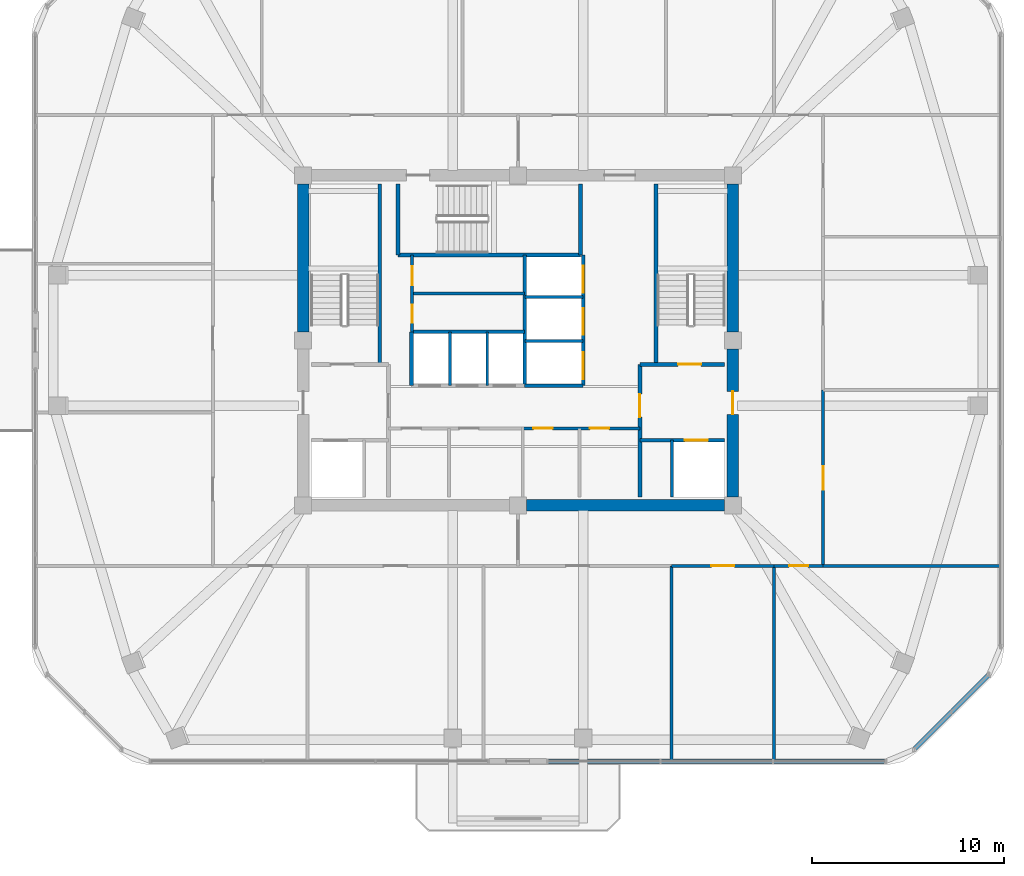
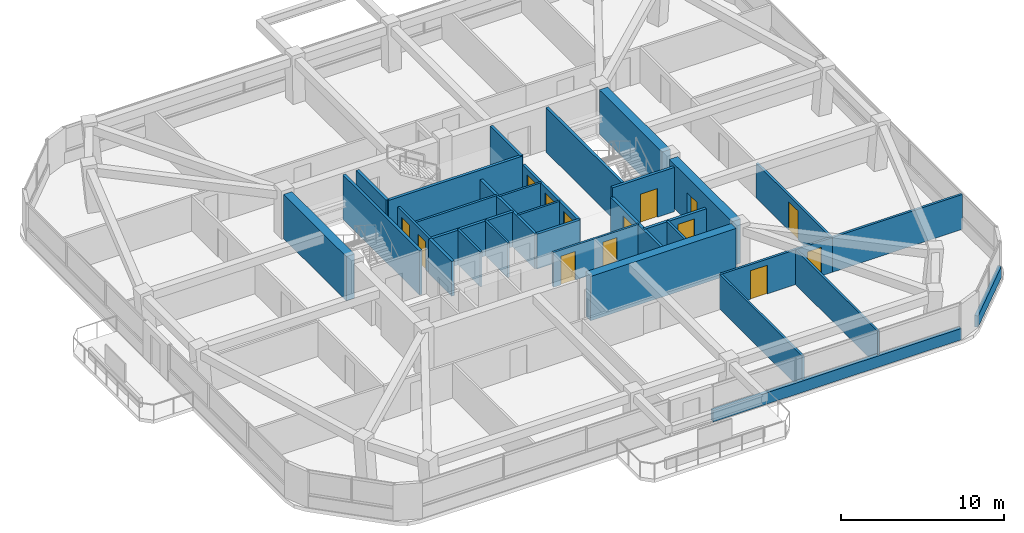
# One storey, part 9 of 13: 33 walls, 14 doors, 14 openings.
"""IFC4 building model written with IfcOpenShell, lengths in metres."""

from ifc_helpers import new_model, si_unit, derived_unit, direction, frame, frame_2d, origin, place, context, subcontext, project, spatial, rectangle, extrude, material, layer, layer_set, type_object, element, fill, save


model = new_model("IFC4")

# Units and contexts
model_context = context("Model", 3, precision=1e-05, world=origin(), true_north=direction((0.0, 1.0)))
body_context = subcontext(model_context, "Body", "Model", "MODEL_VIEW")
ifc_project = project(units=[si_unit("LENGTHUNIT", "METRE"), si_unit("AREAUNIT", "SQUARE_METRE"), si_unit("VOLUMEUNIT", "CUBIC_METRE"), si_unit("PLANEANGLEUNIT", "RADIAN"), si_unit("MASSUNIT", "GRAM", prefix="KILO"), derived_unit("THERMALTRANSMITTANCEUNIT", [(si_unit("POWERUNIT", "WATT"), 1), (si_unit("LENGTHUNIT", "METRE"), -2), (si_unit("THERMODYNAMICTEMPERATUREUNIT", "KELVIN"), -1)])], contexts=[model_context])

# Site, building, storey
site_placement = place(None, origin())
site = spatial("IfcSite", under=ifc_project, at=site_placement, CompositionType="ELEMENT")
building_placement = place(site_placement, origin())
building = spatial("IfcBuilding", under=site, at=building_placement, Name="Koralith Skygarden Medical Center", CompositionType="ELEMENT")
storey_placement = place(building_placement, frame((0.0, 0.0, 199.97998046875)))
storey = spatial("IfcBuildingStorey", under=building, at=storey_placement, Name="L51", CompositionType="ELEMENT", Elevation=199.97998046875)

# Wall, openings, doors
ifc_material_1 = material(Name="Gypsum Board Partition")
ifc_layer_1 = layer(ifc_material_1, 0.14990234375)
ifc_layer_set_1 = layer_set([ifc_layer_1], Name="Gypsum Board Partition")
wall_type_1 = type_object("IfcWallType", Name="Clinical Acoustic Partition 150", PredefinedType="PARTITIONING", material=ifc_layer_set_1)
wall_1_placement = place(storey_placement, frame((37.25, 21.320068359375, 0.0), z_axis=(0.0, 0.0, 1.0), x_axis=(1.0, 0.0, 0.0)))
wall_1 = element("IfcWall", 1, at=wall_1_placement, inside=storey, type_object=wall_type_1, Name="L51 Clinical Acoustic Partition 150 W-CORE-L51-FREED-MR-N", PredefinedType="PARTITIONING", context=body_context, shape_type="SweptSolid", body=[
    extrude(rectangle(XDim=6.10009765625, YDim=0.14990234375, at=frame_2d((3.050048828125, 0.0))), origin(), (0.0, 0.0, 1.0), 2.610107421875),
])
opening_1_placement = place(wall_1_placement, frame((0.550048828125, 0.0, 0.0)))
opening_1 = element("IfcOpeningElement", 2, at=opening_1_placement, cuts=wall_1, Name="Opening D-SUP", PredefinedType="OPENING", context=body_context, shape_type="SweptSolid", body=[
    extrude(rectangle(XDim=1.0, YDim=2.14990234375, at=frame_2d((0.5, 1.074951171875))), frame((0.0, 0.0849609375, 0.0), z_axis=(0.0, -1.0, 0.0), x_axis=(1.0, 0.0, 0.0)), (0.0, 0.0, 1.0), 0.169921875),
])
opening_2_placement = place(wall_1_placement, frame((3.5, 0.0, 0.0)))
opening_2 = element("IfcOpeningElement", 3, at=opening_2_placement, cuts=wall_1, Name="Opening D-SUP", PredefinedType="OPENING", context=body_context, shape_type="SweptSolid", body=[
    extrude(rectangle(XDim=1.0, YDim=2.14990234375, at=frame_2d((0.5, 1.074951171875))), frame((0.0, 0.0849609375, 0.0), z_axis=(0.0, -1.0, 0.0), x_axis=(1.0, 0.0, 0.0)), (0.0, 0.0, 1.0), 0.169921875),
])
ifc_material_2 = material(Name="Aluminium 6063-T6", Category="aluminium")
door_type_1 = type_object("IfcDoorType", Name="Clinical Support Door D-SUP 1000", OperationType="NOTDEFINED", PredefinedType="DOOR", material=ifc_material_2)
door_1_placement = place(opening_1_placement, frame((1.0, 0.0, 0.0), z_axis=(0.0, 0.0, 1.0), x_axis=(-1.0, 0.0, 0.0)))
door_1 = element("IfcDoor", 4, at=door_1_placement, inside=storey, type_object=door_type_1, Name="L51 Satellite Pharmacy Door", OperationType="SINGLE_SWING_LEFT", OverallHeight=2.14990234375, OverallWidth=1.0, PredefinedType="DOOR", context=body_context, shape_type="SweptSolid", body=[
    extrude(rectangle(XDim=1.0, YDim=2.14990234375, at=frame_2d((0.5, 1.074951171875))), frame((0.0, 0.02490234375, 0.0), z_axis=(0.0, -1.0, 0.0), x_axis=(1.0, 0.0, 0.0)), (0.0, 0.0, 1.0), 0.050048828125),
])
fill(opening_1, door_1)
door_2_placement = place(opening_2_placement, frame((1.0, 0.0, 0.0), z_axis=(0.0, 0.0, 1.0), x_axis=(-1.0, 0.0, 0.0)))
door_2 = element("IfcDoor", 5, at=door_2_placement, inside=storey, type_object=door_type_1, Name="L51 Biomedical Equipment Door", OperationType="SINGLE_SWING_RIGHT", OverallHeight=2.14990234375, OverallWidth=1.0, PredefinedType="DOOR", context=body_context, shape_type="SweptSolid", body=[
    extrude(rectangle(XDim=1.0, YDim=2.14990234375, at=frame_2d((0.5, 1.074951171875))), frame((0.0, 0.02490234375, 0.0), z_axis=(0.0, -1.0, 0.0), x_axis=(1.0, 0.0, 0.0)), (0.0, 0.0, 1.0), 0.050048828125),
])
fill(opening_2, door_2)

# Walls
for number, where, z_axis, x_axis, name in (
    (6, (45.009033203125, 14.14990234375, 0.0), (0.0, 0.0, 1.0), (0.0, -1.0, 0.0), "L51 Clinical Acoustic Partition 150 W-PART-L51-S-03"),
    (7, (50.35009765625, 14.14990234375, 0.0), (0.0, 0.0, 1.0), (0.0, -1.0, 0.0), "L51 Clinical Acoustic Partition 150 W-PART-L51-S-04"),
):
    element("IfcWall", number, at=place(storey_placement, frame(where, z_axis=z_axis, x_axis=x_axis)), inside=storey, type_object=wall_type_1, Name=name, PredefinedType="PARTITIONING", context=body_context, shape_type="SweptSolid", body=[
        extrude(rectangle(XDim=10.156005859375, YDim=0.14990234375, at=frame_2d((5.078125, 0.0))), origin(), (0.0, 0.0, 1.0), 2.610107421875),
    ])
ifc_layer_2 = layer(ifc_material_1, 0.1650390625)
ifc_layer_set_2 = layer_set([ifc_layer_2], Name="Gypsum Board Partition")
wall_type_2 = type_object("IfcWallType", Name="Clinical Corridor Partition 165", PredefinedType="PARTITIONING", material=ifc_layer_set_2)
wall_2_placement = place(storey_placement, frame((52.89990234375, 14.14990234375, 0.0), z_axis=(0.0, 0.0, 1.0), x_axis=(1.0, 0.0, 0.0)))
element("IfcWall", 8, at=wall_2_placement, inside=storey, type_object=wall_type_2, Name="L51 Clinical Corridor Partition 165 W-WB-L51-SE", PredefinedType="PARTITIONING", context=body_context, shape_type="SweptSolid", body=[
    extrude(rectangle(XDim=9.22802734375, YDim=0.1650390625, at=frame_2d((4.614013671875, 0.0))), origin(), (0.0, 0.0, 1.0), 2.610107421875),
])

# Wall, opening, door
wall_3_placement = place(storey_placement, frame((45.009033203125, 14.14990234375, 0.0), z_axis=(0.0, 0.0, 1.0), x_axis=(1.0, 0.0, 0.0)))
wall_3 = element("IfcWall", 9, at=wall_3_placement, inside=storey, type_object=wall_type_2, Name="L51 Clinical Corridor Partition 165 W-CORR-L51-S-04", PredefinedType="PARTITIONING", context=body_context, shape_type="SweptSolid", body=[
    extrude(rectangle(XDim=5.341064453125, YDim=0.1650390625, at=frame_2d((2.67041015625, 0.0))), origin(), (0.0, 0.0, 1.0), 2.610107421875),
])
opening_3_placement = place(wall_3_placement, frame((2.071044921875, 0.0, 0.0)))
opening_3 = element("IfcOpeningElement", 10, at=opening_3_placement, cuts=wall_3, Name="Opening D-CLN", PredefinedType="OPENING", context=body_context, shape_type="SweptSolid", body=[
    extrude(rectangle(XDim=1.199951171875, YDim=2.14990234375, at=frame_2d((0.60009765625, 1.074951171875))), frame((0.0, 0.092529296875, 0.0), z_axis=(0.0, -1.0, 0.0), x_axis=(1.0, 0.0, 0.0)), (0.0, 0.0, 1.0), 0.18505859375),
])
door_type_2 = type_object("IfcDoorType", Name="Clinical Corridor Door D-CLN 1200", OperationType="NOTDEFINED", PredefinedType="DOOR", material=ifc_material_2)
door_3_placement = place(opening_3_placement, frame((1.199951171875, 0.0, 0.0), z_axis=(0.0, 0.0, 1.0), x_axis=(-1.0, 0.0, 0.0)))
door_3 = element("IfcDoor", 11, at=door_3_placement, inside=storey, type_object=door_type_2, Name="L51 Telemetry Holter Store 09 Door", OperationType="SINGLE_SWING_RIGHT", OverallHeight=2.14990234375, OverallWidth=1.199951171875, PredefinedType="DOOR", context=body_context, shape_type="SweptSolid", body=[
    extrude(rectangle(XDim=1.199951171875, YDim=2.14990234375, at=frame_2d((0.60009765625, 1.074951171875))), frame((0.0, 0.02490234375, 0.0), z_axis=(0.0, -1.0, 0.0), x_axis=(1.0, 0.0, 0.0)), (0.0, 0.0, 1.0), 0.050048828125),
])
fill(opening_3, door_3)

wall_4_placement = place(storey_placement, frame((50.35009765625, 14.14990234375, 0.0), z_axis=(0.0, 0.0, 1.0), x_axis=(1.0, 0.0, 0.0)))
wall_4 = element("IfcWall", 12, at=wall_4_placement, inside=storey, type_object=wall_type_2, Name="L51 Clinical Corridor Partition 165 W-CORR-L51-S-05", PredefinedType="PARTITIONING", context=body_context, shape_type="SweptSolid", body=[
    extrude(rectangle(XDim=2.5498046875, YDim=0.1650390625, at=frame_2d((1.27490234375, 0.0))), origin(), (0.0, 0.0, 1.0), 2.610107421875),
])
opening_4_placement = place(wall_4_placement, frame((0.77490234375, 0.0, 0.0)))
opening_4 = element("IfcOpeningElement", 13, at=opening_4_placement, cuts=wall_4, Name="Opening D-SUP", PredefinedType="OPENING", context=body_context, shape_type="SweptSolid", body=[
    extrude(rectangle(XDim=1.0, YDim=2.14990234375, at=frame_2d((0.5, 1.074951171875))), frame((0.0, 0.092529296875, 0.0), z_axis=(0.0, -1.0, 0.0), x_axis=(1.0, 0.0, 0.0)), (0.0, 0.0, 1.0), 0.18505859375),
])
door_4_placement = place(opening_4_placement, frame((1.0, 0.0, 0.0), z_axis=(0.0, 0.0, 1.0), x_axis=(-1.0, 0.0, 0.0)))
door_4 = element("IfcDoor", 14, at=door_4_placement, inside=storey, type_object=door_type_1, Name="L51 Cardiology Fellows Office 10 Door", OperationType="SINGLE_SWING_LEFT", OverallHeight=2.14990234375, OverallWidth=1.0, PredefinedType="DOOR", context=body_context, shape_type="SweptSolid", body=[
    extrude(rectangle(XDim=1.0, YDim=2.14990234375, at=frame_2d((0.5, 1.074951171875))), frame((0.0, 0.02490234375, 0.0), z_axis=(0.0, -1.0, 0.0), x_axis=(1.0, 0.0, 0.0)), (0.0, 0.0, 1.0), 0.050048828125),
])
fill(opening_4, door_4)

wall_5_placement = place(storey_placement, frame((52.89990234375, 14.14990234375, 0.0), z_axis=(0.0, 0.0, 1.0), x_axis=(0.0, 1.0, 0.0)))
wall_5 = element("IfcWall", 15, at=wall_5_placement, inside=storey, type_object=wall_type_2, Name="L51 Clinical Corridor Partition 165 W-CORR-L51-E-01", PredefinedType="PARTITIONING", context=body_context, shape_type="SweptSolid", body=[
    extrude(rectangle(XDim=9.1650390625, YDim=0.1650390625, at=frame_2d((4.58251953125, 0.0))), origin(), (0.0, 0.0, 1.0), 2.610107421875),
])
opening_5_placement = place(wall_5_placement, frame((3.98291015625, 0.0, 0.0)))
opening_5 = element("IfcOpeningElement", 16, at=opening_5_placement, cuts=wall_5, Name="Opening D-CLN", PredefinedType="OPENING", context=body_context, shape_type="SweptSolid", body=[
    extrude(rectangle(XDim=1.199951171875, YDim=2.14990234375, at=frame_2d((0.60009765625, 1.074951171875))), frame((0.0, 0.092529296875, 0.0), z_axis=(0.0, -1.0, 0.0), x_axis=(1.0, 0.0, 0.0)), (0.0, 0.0, 1.0), 0.18505859375),
])
door_5_placement = place(opening_5_placement, origin())
door_5 = element("IfcDoor", 17, at=door_5_placement, inside=storey, type_object=door_type_2, Name="L51 Telemetry Holter Store 14 Door", OperationType="SINGLE_SWING_LEFT", OverallHeight=2.14990234375, OverallWidth=1.199951171875, PredefinedType="DOOR", context=body_context, shape_type="SweptSolid", body=[
    extrude(rectangle(XDim=1.199951171875, YDim=2.14990234375, at=frame_2d((0.60009765625, 1.074951171875))), frame((0.0, 0.02490234375, 0.0), z_axis=(0.0, -1.0, 0.0), x_axis=(1.0, 0.0, 0.0)), (0.0, 0.0, 1.0), 0.050048828125),
])
fill(opening_5, door_5)

ifc_layer_3 = layer(ifc_material_1, 0.199951171875)
ifc_layer_set_3 = layer_set([ifc_layer_3], Name="Gypsum Board Partition")
wall_type_3 = type_object("IfcWallType", Name="Fire Shaft Wall 200", PredefinedType="SOLIDWALL", material=ifc_layer_set_3)
wall_6_placement = place(storey_placement, frame((43.35009765625, 20.699951171875, 0.0), z_axis=(0.0, 0.0, 1.0), x_axis=(1.0, 0.0, 0.0)))
wall_6 = element("IfcWall", 18, at=wall_6_placement, inside=storey, type_object=wall_type_3, Name="L51 Fire Shaft Wall 200 W-CORE-L51-FF2-N", PredefinedType="SOLIDWALL", context=body_context, shape_type="SweptSolid", body=[
    extrude(rectangle(XDim=4.39990234375, YDim=0.199951171875, at=frame_2d((2.199951171875, 0.0))), origin(), (0.0, 0.0, 1.0), 2.610107421875),
])
opening_6_placement = place(wall_6_placement, frame((2.35009765625, 0.0, 0.0)))
opening_6 = element("IfcOpeningElement", 19, at=opening_6_placement, cuts=wall_6, Name="Opening LD-FF", PredefinedType="OPENING", context=body_context, shape_type="SweptSolid", body=[
    extrude(rectangle(XDim=1.199951171875, YDim=2.14990234375, at=frame_2d((0.60009765625, 1.074951171875))), frame((0.0, 0.10986328125, 0.0), z_axis=(0.0, -1.0, 0.0), x_axis=(1.0, 0.0, 0.0)), (0.0, 0.0, 1.0), 0.219970703125),
])
ifc_material_3 = material(Name="Steel ASTM A500 Grade C", Category="steel")
door_type_3 = type_object("IfcDoorType", Name="Fire Lift Sliding Landing Door LD-FF 1200", OperationType="NOTDEFINED", PredefinedType="DOOR", material=ifc_material_3)
door_6_placement = place(opening_6_placement, origin())
door_6 = element("IfcDoor", 20, at=door_6_placement, inside=storey, type_object=door_type_3, Name="L51 Fire Service Elevator FF2 Landing Door", OperationType="SLIDING_TO_RIGHT", OverallHeight=2.14990234375, OverallWidth=1.199951171875, PredefinedType="DOOR", context=body_context, shape_type="SweptSolid", body=[
    extrude(rectangle(XDim=1.199951171875, YDim=2.14990234375, at=frame_2d((0.60009765625, 1.074951171875))), frame((0.0, 0.02490234375, 0.0), z_axis=(0.0, -1.0, 0.0), x_axis=(1.0, 0.0, 0.0)), (0.0, 0.0, 1.0), 0.050048828125),
])
fill(opening_6, door_6)

wall_7_placement = place(storey_placement, frame((43.35009765625, 17.75, 0.0), z_axis=(0.0, 0.0, 1.0), x_axis=(0.0, 1.0, 0.0)))
wall_7 = element("IfcWall", 21, at=wall_7_placement, inside=storey, type_object=wall_type_3, Name="L51 Fire Shaft Wall 200 W-CORE-L51-FSAEE-W", PredefinedType="SOLIDWALL", context=body_context, shape_type="SweptSolid", body=[
    extrude(rectangle(XDim=6.89990234375, YDim=0.199951171875, at=frame_2d((3.449951171875, 0.0))), origin(), (0.0, 0.0, 1.0), 2.610107421875),
])
opening_7_placement = place(wall_7_placement, frame((4.14990234375, 0.0, 0.0)))
opening_7 = element("IfcOpeningElement", 22, at=opening_7_placement, cuts=wall_7, Name="Opening D-ST60", PredefinedType="OPENING", context=body_context, shape_type="SweptSolid", body=[
    extrude(rectangle(XDim=1.199951171875, YDim=2.14990234375, at=frame_2d((0.60009765625, 1.074951171875))), frame((0.0, 0.10986328125, 0.0), z_axis=(0.0, -1.0, 0.0), x_axis=(1.0, 0.0, 0.0)), (0.0, 0.0, 1.0), 0.219970703125),
])
door_type_4 = type_object("IfcDoorType", Name="Smokeproof Stair Fire Door FD60S 1200", OperationType="NOTDEFINED", PredefinedType="DOOR", material=ifc_material_3)
door_7_placement = place(opening_7_placement, frame((1.199951171875, 0.0, 0.0), z_axis=(0.0, 0.0, 1.0), x_axis=(-1.0, 0.0, 0.0)))
door_7 = element("IfcDoor", 23, at=door_7_placement, inside=storey, type_object=door_type_4, Name="L51 East Firefighting Lobby Inner Fire Door", OperationType="SINGLE_SWING_RIGHT", OverallHeight=2.14990234375, OverallWidth=1.199951171875, PredefinedType="DOOR", context=body_context, shape_type="SweptSolid", body=[
    extrude(rectangle(XDim=1.199951171875, YDim=2.14990234375, at=frame_2d((0.60009765625, 1.074951171875))), frame((0.0, 0.02490234375, 0.0), z_axis=(0.0, -1.0, 0.0), x_axis=(1.0, 0.0, 0.0)), (0.0, 0.0, 1.0), 0.050048828125),
])
fill(opening_7, door_7)

# Walls
wall_8_placement = place(storey_placement, frame((31.449951171875, 26.35009765625, 0.0), z_axis=(0.0, 0.0, 1.0), x_axis=(1.0, 0.0, 0.0)))
element("IfcWall", 24, at=wall_8_placement, inside=storey, type_object=wall_type_3, Name="L51 Fire Shaft Wall 200 W-CORE-L51-PH-N", PredefinedType="SOLIDWALL", context=body_context, shape_type="SweptSolid", body=[
    extrude(rectangle(XDim=5.900146484375, YDim=0.199951171875, at=frame_2d((2.9501953125, 0.0))), origin(), (0.0, 0.0, 1.0), 2.610107421875),
])
wall_9_placement = place(storey_placement, frame((31.449951171875, 23.5400390625, 0.0), z_axis=(0.0, 0.0, 1.0), x_axis=(0.0, 1.0, 0.0)))
element("IfcWall", 25, at=wall_9_placement, inside=storey, type_object=wall_type_3, Name="L51 Fire Shaft Wall 200 W-CORE-L51-PH-W", PredefinedType="SOLIDWALL", context=body_context, shape_type="SweptSolid", body=[
    extrude(rectangle(XDim=2.81005859375, YDim=0.199951171875, at=frame_2d((1.405029296875, 0.0))), origin(), (0.0, 0.0, 1.0), 2.610107421875),
])
wall_10_placement = place(storey_placement, frame((37.35009765625, 23.5400390625, 0.0), z_axis=(0.0, 0.0, 1.0), x_axis=(0.0, 1.0, 0.0)))
element("IfcWall", 26, at=wall_10_placement, inside=storey, type_object=wall_type_3, Name="L51 Fire Shaft Wall 200 W-CORE-L51-SV-W", PredefinedType="SOLIDWALL", context=body_context, shape_type="SweptSolid", body=[
    extrude(rectangle(XDim=6.820068359375, YDim=0.199951171875, at=frame_2d((3.41015625, 0.0))), origin(), (0.0, 0.0, 1.0), 2.610107421875),
])
wall_11_placement = place(storey_placement, frame((37.35009765625, 23.5400390625, 0.0), z_axis=(0.0, 0.0, 1.0), x_axis=(1.0, 0.0, 0.0)))
element("IfcWall", 27, at=wall_11_placement, inside=storey, type_object=wall_type_3, Name="L51 Fire Shaft Wall 200 W-CORE-L51-SV-S", PredefinedType="SOLIDWALL", context=body_context, shape_type="SweptSolid", body=[
    extrude(rectangle(XDim=3.0498046875, YDim=0.199951171875, at=frame_2d((1.52490234375, 0.0))), origin(), (0.0, 0.0, 1.0), 2.610107421875),
])

# Wall, openings, doors
wall_12_placement = place(storey_placement, frame((40.39990234375, 23.5400390625, 0.0), z_axis=(0.0, 0.0, 1.0), x_axis=(0.0, 1.0, 0.0)))
wall_12 = element("IfcWall", 28, at=wall_12_placement, inside=storey, type_object=wall_type_3, Name="L51 Fire Shaft Wall 200 W-CORE-L51-SV-E", PredefinedType="SOLIDWALL", context=body_context, shape_type="SweptSolid", body=[
    extrude(rectangle(XDim=6.820068359375, YDim=0.199951171875, at=frame_2d((3.41015625, 0.0))), origin(), (0.0, 0.0, 1.0), 2.610107421875),
])
opening_8_placement = place(wall_12_placement, frame((0.35009765625, 0.0, 0.0)))
opening_8 = element("IfcOpeningElement", 29, at=opening_8_placement, cuts=wall_12, Name="Opening LD-SV", PredefinedType="OPENING", context=body_context, shape_type="SweptSolid", body=[
    extrude(rectangle(XDim=1.39990234375, YDim=2.199951171875, at=frame_2d((0.699951171875, 1.10009765625))), frame((0.0, 0.10986328125, 0.0), z_axis=(0.0, -1.0, 0.0), x_axis=(1.0, 0.0, 0.0)), (0.0, 0.0, 1.0), 0.219970703125),
])
opening_9_placement = place(wall_12_placement, frame((2.64990234375, 0.0, 0.0)))
opening_9 = element("IfcOpeningElement", 30, at=opening_9_placement, cuts=wall_12, Name="Opening LD-SV", PredefinedType="OPENING", context=body_context, shape_type="SweptSolid", body=[
    extrude(rectangle(XDim=1.39990234375, YDim=2.199951171875, at=frame_2d((0.699951171875, 1.10009765625))), frame((0.0, 0.10986328125, 0.0), z_axis=(0.0, -1.0, 0.0), x_axis=(1.0, 0.0, 0.0)), (0.0, 0.0, 1.0), 0.219970703125),
])
opening_10_placement = place(wall_12_placement, frame((4.85009765625, 0.0, 0.0)))
opening_10 = element("IfcOpeningElement", 31, at=opening_10_placement, cuts=wall_12, Name="Opening LD-SV", PredefinedType="OPENING", context=body_context, shape_type="SweptSolid", body=[
    extrude(rectangle(XDim=1.39990234375, YDim=2.199951171875, at=frame_2d((0.699951171875, 1.10009765625))), frame((0.0, 0.10986328125, 0.0), z_axis=(0.0, -1.0, 0.0), x_axis=(1.0, 0.0, 0.0)), (0.0, 0.0, 1.0), 0.219970703125),
])
door_type_5 = type_object("IfcDoorType", Name="Bed Lift Sliding Landing Door LD-SV 1400", OperationType="NOTDEFINED", PredefinedType="DOOR", material=ifc_material_3)
door_8_placement = place(opening_8_placement, origin())
door_8 = element("IfcDoor", 32, at=door_8_placement, inside=storey, type_object=door_type_5, Name="L51 Bed Elevator BD1 Landing Door", OperationType="SLIDING_TO_LEFT", OverallHeight=2.199951171875, OverallWidth=1.39990234375, PredefinedType="DOOR", context=body_context, shape_type="SweptSolid", body=[
    extrude(rectangle(XDim=1.39990234375, YDim=2.199951171875, at=frame_2d((0.699951171875, 1.10009765625))), frame((0.0, 0.02490234375, 0.0), z_axis=(0.0, -1.0, 0.0), x_axis=(1.0, 0.0, 0.0)), (0.0, 0.0, 1.0), 0.050048828125),
])
fill(opening_8, door_8)
door_9_placement = place(opening_9_placement, origin())
door_9 = element("IfcDoor", 33, at=door_9_placement, inside=storey, type_object=door_type_5, Name="L51 Service Elevator BD2 Landing Door", OperationType="SLIDING_TO_LEFT", OverallHeight=2.199951171875, OverallWidth=1.39990234375, PredefinedType="DOOR", context=body_context, shape_type="SweptSolid", body=[
    extrude(rectangle(XDim=1.39990234375, YDim=2.199951171875, at=frame_2d((0.699951171875, 1.10009765625))), frame((0.0, 0.02490234375, 0.0), z_axis=(0.0, -1.0, 0.0), x_axis=(1.0, 0.0, 0.0)), (0.0, 0.0, 1.0), 0.050048828125),
])
fill(opening_9, door_9)
door_10_placement = place(opening_10_placement, origin())
door_10 = element("IfcDoor", 34, at=door_10_placement, inside=storey, type_object=door_type_5, Name="L51 Trauma Elevator TR1 Landing Door", OperationType="SLIDING_TO_RIGHT", OverallHeight=2.199951171875, OverallWidth=1.39990234375, PredefinedType="DOOR", context=body_context, shape_type="SweptSolid", body=[
    extrude(rectangle(XDim=1.39990234375, YDim=2.199951171875, at=frame_2d((0.699951171875, 1.10009765625))), frame((0.0, 0.02490234375, 0.0), z_axis=(0.0, -1.0, 0.0), x_axis=(1.0, 0.0, 0.0)), (0.0, 0.0, 1.0), 0.050048828125),
])
fill(opening_10, door_10)

# Walls
ifc_material_4 = material(Name="Warm Oolitic Limestone Cladding", Category="masonry")
ifc_layer_4 = layer(ifc_material_4, 0.239990234375)
ifc_layer_set_4 = layer_set([ifc_layer_4], Name="Warm Oolitic Limestone Cladding")
wall_type_4 = type_object("IfcWallType", Name="Limestone Spandrel Sill Backup Wall 240", PredefinedType="SOLIDWALL", material=ifc_layer_set_4)
wall_13_placement = place(storey_placement, frame((38.5390625, 3.97412109375, 0.0), z_axis=(0.0, 0.0, 1.0), x_axis=(1.0, 0.0, 0.0)))
element("IfcWall", 35, at=wall_13_placement, inside=storey, type_object=wall_type_4, Name="L51 Sill Spandrel S-R", PredefinedType="SOLIDWALL", context=body_context, shape_type="SweptSolid", body=[
    extrude(rectangle(XDim=17.634033203125, YDim=0.239990234375, at=frame_2d((8.81689453125, 0.0))), origin(), (0.0, 0.0, 1.0), 0.85009765625),
])
wall_14_placement = place(storey_placement, frame((57.6240234375, 4.574951171875, 0.0), z_axis=(0.0, 0.0, 1.0), x_axis=(0.707106781187, 0.707106781187, 0.0)))
element("IfcWall", 36, at=wall_14_placement, inside=storey, type_object=wall_type_4, Name="L51 Sill Spandrel SE", PredefinedType="SOLIDWALL", context=body_context, shape_type="SweptSolid", body=[
    extrude(rectangle(XDim=5.548095703125, YDim=0.239990234375, at=frame_2d((2.77392578125, 0.0))), origin(), (0.0, 0.0, 1.0), 0.85009765625),
])

# Wall, openings, doors
ifc_layer_5 = layer(ifc_material_1, 0.1650390625)
ifc_layer_set_5 = layer_set([ifc_layer_5], Name="Gypsum Board Partition")
wall_type_5 = type_object("IfcWallType", Name="Plumbing Wet Wall 165", PredefinedType="PLUMBINGWALL", material=ifc_layer_set_5)
wall_15_placement = place(storey_placement, frame((31.47998046875, 26.320068359375, 0.0), z_axis=(0.0, 0.0, 1.0), x_axis=(0.0, 1.0, 0.0)))
wall_15 = element("IfcWall", 37, at=wall_15_placement, inside=storey, type_object=wall_type_5, Name="L51 Plumbing Wet Wall 165 W-CORE-L51-FLEX-W", PredefinedType="PLUMBINGWALL", context=body_context, shape_type="SweptSolid", body=[
    extrude(rectangle(XDim=4.0400390625, YDim=0.1650390625, at=frame_2d((2.02001953125, 0.0))), origin(), (0.0, 0.0, 1.0), 2.610107421875),
])
opening_11_placement = place(wall_15_placement, frame((0.5, 0.0, 0.0)))
opening_11 = element("IfcOpeningElement", 38, at=opening_11_placement, cuts=wall_15, Name="Opening D-WC", PredefinedType="OPENING", context=body_context, shape_type="SweptSolid", body=[
    extrude(rectangle(XDim=0.949951171875, YDim=2.10009765625, at=frame_2d((0.47509765625, 1.050048828125))), frame((0.0, 0.092529296875, 0.0), z_axis=(0.0, -1.0, 0.0), x_axis=(1.0, 0.0, 0.0)), (0.0, 0.0, 1.0), 0.18505859375),
])
opening_12_placement = place(wall_15_placement, frame((2.449951171875, 0.0, 0.0)))
opening_12 = element("IfcOpeningElement", 39, at=opening_12_placement, cuts=wall_15, Name="Opening D-SUP", PredefinedType="OPENING", context=body_context, shape_type="SweptSolid", body=[
    extrude(rectangle(XDim=1.0, YDim=2.14990234375, at=frame_2d((0.5, 1.074951171875))), frame((0.0, 0.092529296875, 0.0), z_axis=(0.0, -1.0, 0.0), x_axis=(1.0, 0.0, 0.0)), (0.0, 0.0, 1.0), 0.18505859375),
])
door_type_6 = type_object("IfcDoorType", Name="Accessible Toilet Door D-WC 950", OperationType="NOTDEFINED", PredefinedType="DOOR", material=ifc_material_2)
door_11_placement = place(opening_11_placement, frame((0.949951171875, 0.0, 0.0), z_axis=(0.0, 0.0, 1.0), x_axis=(-1.0, 0.0, 0.0)))
door_11 = element("IfcDoor", 40, at=door_11_placement, inside=storey, type_object=door_type_6, Name="L51 Core Accessible WC Door", OperationType="SINGLE_SWING_LEFT", OverallHeight=2.10009765625, OverallWidth=0.949951171875, PredefinedType="DOOR", context=body_context, shape_type="SweptSolid", body=[
    extrude(rectangle(XDim=0.949951171875, YDim=2.10009765625, at=frame_2d((0.47509765625, 1.050048828125))), frame((0.0, 0.02490234375, 0.0), z_axis=(0.0, -1.0, 0.0), x_axis=(1.0, 0.0, 0.0)), (0.0, 0.0, 1.0), 0.050048828125),
])
fill(opening_11, door_11)
door_12_placement = place(opening_12_placement, frame((1.0, 0.0, 0.0), z_axis=(0.0, 0.0, 1.0), x_axis=(-1.0, 0.0, 0.0)))
door_12 = element("IfcDoor", 41, at=door_12_placement, inside=storey, type_object=door_type_1, Name="L51 Core Clean Utility Door", OperationType="SINGLE_SWING_RIGHT", OverallHeight=2.14990234375, OverallWidth=1.0, PredefinedType="DOOR", context=body_context, shape_type="SweptSolid", body=[
    extrude(rectangle(XDim=1.0, YDim=2.14990234375, at=frame_2d((0.5, 1.074951171875))), frame((0.0, 0.02490234375, 0.0), z_axis=(0.0, -1.0, 0.0), x_axis=(1.0, 0.0, 0.0)), (0.0, 0.0, 1.0), 0.050048828125),
])
fill(opening_12, door_12)

# Walls
wall_16_placement = place(storey_placement, frame((31.47998046875, 28.340087890625, 0.0), z_axis=(0.0, 0.0, 1.0), x_axis=(1.0, 0.0, 0.0)))
element("IfcWall", 42, at=wall_16_placement, inside=storey, type_object=wall_type_5, Name="L51 Plumbing Wet Wall 165 W-CORE-L51-FLEX-H0", PredefinedType="PLUMBINGWALL", context=body_context, shape_type="SweptSolid", body=[
    extrude(rectangle(XDim=5.8701171875, YDim=0.1650390625, at=frame_2d((2.93505859375, 0.0))), origin(), (0.0, 0.0, 1.0), 2.610107421875),
])
ifc_layer_6 = layer(ifc_material_1, 0.14990234375)
ifc_layer_set_6 = layer_set([ifc_layer_6], Name="Gypsum Board Partition")
wall_type_6 = type_object("IfcWallType", Name="Shaft Partition Wall 150", PredefinedType="PARTITIONING", material=ifc_layer_set_6)
wall_17_placement = place(storey_placement, frame((45.02001953125, 17.75, 0.0), z_axis=(0.0, 0.0, 1.0), x_axis=(0.0, 1.0, 0.0)))
element("IfcWall", 43, at=wall_17_placement, inside=storey, type_object=wall_type_6, Name="L51 Shaft Partition Wall 150 W-CORE-L51-RSRE-DIV", PredefinedType="PARTITIONING", context=body_context, shape_type="SweptSolid", body=[
    extrude(rectangle(XDim=2.949951171875, YDim=0.14990234375, at=frame_2d((1.47509765625, 0.0))), origin(), (0.0, 0.0, 1.0), 2.610107421875),
])
for number, where, z_axis, x_axis, name in (
    (44, (33.449951171875, 23.5400390625, 0.0), (0.0, 0.0, 1.0), (0.0, 1.0, 0.0), "L51 Shaft Partition Wall 150 W-CORE-L51-PH-D1"),
    (45, (35.39990234375, 23.5400390625, 0.0), (0.0, 0.0, 1.0), (0.0, 1.0, 0.0), "L51 Shaft Partition Wall 150 W-CORE-L51-PH-D2"),
):
    element("IfcWall", number, at=place(storey_placement, frame(where, z_axis=z_axis, x_axis=x_axis)), inside=storey, type_object=wall_type_6, Name=name, PredefinedType="PARTITIONING", context=body_context, shape_type="SweptSolid", body=[
        extrude(rectangle(XDim=2.81005859375, YDim=0.14990234375, at=frame_2d((1.405029296875, 0.0))), origin(), (0.0, 0.0, 1.0), 2.610107421875),
    ])
for number, where, z_axis, x_axis, name in (
    (46, (37.3701171875, 25.8701171875, 0.0), (0.0, 0.0, 1.0), (1.0, 0.0, 0.0), "L51 Shaft Partition Wall 150 W-CORE-L51-SV-D1"),
    (47, (37.3701171875, 28.169921875, 0.0), (0.0, 0.0, 1.0), (1.0, 0.0, 0.0), "L51 Shaft Partition Wall 150 W-CORE-L51-SV-D2"),
):
    element("IfcWall", number, at=place(storey_placement, frame(where, z_axis=z_axis, x_axis=x_axis)), inside=storey, type_object=wall_type_6, Name=name, PredefinedType="PARTITIONING", context=body_context, shape_type="SweptSolid", body=[
        extrude(rectangle(XDim=3.009765625, YDim=0.14990234375, at=frame_2d((1.5048828125, 0.0))), origin(), (0.0, 0.0, 1.0), 2.610107421875),
    ])
ifc_material_5 = material(Name="Concrete C45/55", Category="concrete")
ifc_layer_7 = layer(ifc_material_5, 0.199951171875)
ifc_layer_set_7 = layer_set([ifc_layer_7], Name="Concrete C45/55")
wall_type_7 = type_object("IfcWallType", Name="Structural Stair Shaft Wall 200", PredefinedType="SHEAR", material=ifc_layer_set_7)
for number, where, z_axis, x_axis, name in (
    (48, (29.800048828125, 24.64990234375, 0.0), (0.0, 0.0, 1.0), (0.0, 1.0, 0.0), "L51 Structural Stair Shaft Wall 200 W-CORE-L51-ST1-E"),
    (49, (44.199951171875, 24.64990234375, 0.0), (0.0, 0.0, 1.0), (0.0, 1.0, 0.0), "L51 Structural Stair Shaft Wall 200 W-CORE-L51-ST2-W"),
):
    element("IfcWall", number, at=place(storey_placement, frame(where, z_axis=z_axis, x_axis=x_axis)), inside=storey, type_object=wall_type_7, Name=name, PredefinedType="SHEAR", context=body_context, shape_type="SweptSolid", body=[
        extrude(rectangle(XDim=9.400146484375, YDim=0.199951171875, at=frame_2d((4.7001953125, 0.0))), origin(), (0.0, 0.0, 1.0), 3.320068359375),
    ])

# Wall, opening, door
wall_18_placement = place(storey_placement, frame((43.35009765625, 24.64990234375, 0.0), z_axis=(0.0, 0.0, 1.0), x_axis=(1.0, 0.0, 0.0)))
wall_18 = element("IfcWall", 50, at=wall_18_placement, inside=storey, type_object=wall_type_7, Name="L51 Structural Stair Shaft Wall 200 W-CORE-L51-ST2-S", PredefinedType="SHEAR", context=body_context, shape_type="SweptSolid", body=[
    extrude(rectangle(XDim=4.39990234375, YDim=0.199951171875, at=frame_2d((2.199951171875, 0.0))), origin(), (0.0, 0.0, 1.0), 3.320068359375),
])
opening_13_placement = place(wall_18_placement, frame((2.0, 0.0, 0.0)))
opening_13 = element("IfcOpeningElement", 51, at=opening_13_placement, cuts=wall_18, Name="Opening D-ST60", PredefinedType="OPENING", context=body_context, shape_type="SweptSolid", body=[
    extrude(rectangle(XDim=1.199951171875, YDim=2.14990234375, at=frame_2d((0.60009765625, 1.074951171875))), frame((0.0, 0.10986328125, 0.0), z_axis=(0.0, -1.0, 0.0), x_axis=(1.0, 0.0, 0.0)), (0.0, 0.0, 1.0), 0.219970703125),
])
door_13_placement = place(opening_13_placement, origin())
door_13 = element("IfcDoor", 52, at=door_13_placement, inside=storey, type_object=door_type_4, Name="L51 Exit Stair ST2 Fire Door", OperationType="SINGLE_SWING_RIGHT", OverallHeight=2.14990234375, OverallWidth=1.199951171875, PredefinedType="DOOR", context=body_context, shape_type="SweptSolid", body=[
    extrude(rectangle(XDim=1.199951171875, YDim=2.14990234375, at=frame_2d((0.60009765625, 1.074951171875))), frame((0.0, 0.02490234375, 0.0), z_axis=(0.0, -1.0, 0.0), x_axis=(1.0, 0.0, 0.0)), (0.0, 0.0, 1.0), 0.050048828125),
])
fill(opening_13, door_13)

# Walls
wall_19_placement = place(storey_placement, frame((30.75, 30.360107421875, 0.0), z_axis=(0.0, 0.0, 1.0), x_axis=(1.0, 0.0, 0.0)))
element("IfcWall", 53, at=wall_19_placement, inside=storey, type_object=wall_type_7, Name="L51 Structural Stair Shaft Wall 200 W-CORE-L51-ST3-S", PredefinedType="SHEAR", context=body_context, shape_type="SweptSolid", body=[
    extrude(rectangle(XDim=9.5, YDim=0.199951171875, at=frame_2d((4.75, 0.0))), origin(), (0.0, 0.0, 1.0), 3.320068359375),
])
for number, where, z_axis, x_axis, name in (
    (54, (30.75, 30.360107421875, 0.0), (0.0, 0.0, 1.0), (0.0, 1.0, 0.0), "L51 Structural Stair Shaft Wall 200 W-CORE-L51-ST3-W"),
    (55, (40.25, 30.360107421875, 0.0), (0.0, 0.0, 1.0), (0.0, 1.0, 0.0), "L51 Structural Stair Shaft Wall 200 W-CORE-L51-ST3-E"),
):
    element("IfcWall", number, at=place(storey_placement, frame(where, z_axis=z_axis, x_axis=x_axis)), inside=storey, type_object=wall_type_7, Name=name, PredefinedType="SHEAR", context=body_context, shape_type="SweptSolid", body=[
        extrude(rectangle(XDim=3.68994140625, YDim=0.199951171875, at=frame_2d((1.844970703125, 0.0))), origin(), (0.0, 0.0, 1.0), 3.320068359375),
    ])
ifc_material_6 = material(Name="Concrete C55/67", Category="concrete")
ifc_layer_8 = layer(ifc_material_6, 0.60009765625)
ifc_layer_set_8 = layer_set([ifc_layer_8], Name="Concrete C55/67")
wall_type_8 = type_object("IfcWallType", Name="Upper Core Shear Wall 600", PredefinedType="SHEAR", material=ifc_layer_set_8)
wall_20_placement = place(storey_placement, frame((37.445068359375, 17.300048828125, 0.0), z_axis=(0.0, 0.0, 1.0), x_axis=(1.0, 0.0, 0.0)))
element("IfcWall", 56, at=wall_20_placement, inside=storey, type_object=wall_type_8, Name="L51 Core Shear Wall Segment 2", PredefinedType="SHEAR", context=body_context, shape_type="SweptSolid", body=[
    extrude(rectangle(XDim=10.309814453125, YDim=0.60009765625, at=frame_2d((5.15478515625, 0.0))), origin(), (0.0, 0.0, 1.0), 3.320068359375),
])

# Wall, opening, door
wall_21_placement = place(storey_placement, frame((48.199951171875, 17.7451171875, 0.0), z_axis=(0.0, 0.0, 1.0), x_axis=(0.0, 1.0, 0.0)))
wall_21 = element("IfcWall", 57, at=wall_21_placement, inside=storey, type_object=wall_type_8, Name="L51 Core Shear Wall Segment 3", PredefinedType="SHEAR", context=body_context, shape_type="SweptSolid", body=[
    extrude(rectangle(XDim=7.7099609375, YDim=0.60009765625, at=frame_2d((3.85498046875, 0.0))), origin(), (0.0, 0.0, 1.0), 3.320068359375),
])
opening_14_placement = place(wall_21_placement, frame((4.304931640625, 0.0, 0.0)))
opening_14 = element("IfcOpeningElement", 58, at=opening_14_placement, cuts=wall_21, Name="Opening D-ST60", PredefinedType="OPENING", context=body_context, shape_type="SweptSolid", body=[
    extrude(rectangle(XDim=1.199951171875, YDim=2.14990234375, at=frame_2d((0.60009765625, 1.074951171875))), frame((0.0, 0.31005859375, 0.0), z_axis=(0.0, -1.0, 0.0), x_axis=(1.0, 0.0, 0.0)), (0.0, 0.0, 1.0), 0.6201171875),
])
door_14_placement = place(opening_14_placement, frame((1.199951171875, 0.0, 0.0), z_axis=(0.0, 0.0, 1.0), x_axis=(-1.0, 0.0, 0.0)))
door_14 = element("IfcDoor", 59, at=door_14_placement, inside=storey, type_object=door_type_4, Name="L51 East Corridor to Firefighting Lobby Door", OperationType="SINGLE_SWING_RIGHT", OverallHeight=2.14990234375, OverallWidth=1.199951171875, PredefinedType="DOOR", context=body_context, shape_type="SweptSolid", body=[
    extrude(rectangle(XDim=1.199951171875, YDim=2.14990234375, at=frame_2d((0.60009765625, 1.074951171875))), frame((0.0, 0.02490234375, 0.0), z_axis=(0.0, -1.0, 0.0), x_axis=(1.0, 0.0, 0.0)), (0.0, 0.0, 1.0), 0.050048828125),
])
fill(opening_14, door_14)

# Walls
for number, where, z_axis, x_axis, name in (
    (60, (48.199951171875, 26.344970703125, 0.0), (0.0, 0.0, 1.0), (0.0, 1.0, 0.0), "L51 Core Shear Wall Segment 4"),
    (61, (25.800048828125, 34.054931640625, 0.0), (0.0, 0.0, 1.0), (0.0, -1.0, 0.0), "L51 Core Shear Wall Segment 7"),
):
    element("IfcWall", number, at=place(storey_placement, frame(where, z_axis=z_axis, x_axis=x_axis)), inside=storey, type_object=wall_type_8, Name=name, PredefinedType="SHEAR", context=body_context, shape_type="SweptSolid", body=[
        extrude(rectangle(XDim=7.7099609375, YDim=0.60009765625, at=frame_2d((3.85498046875, 0.0))), origin(), (0.0, 0.0, 1.0), 3.320068359375),
    ])

save(model, "model.ifc")
